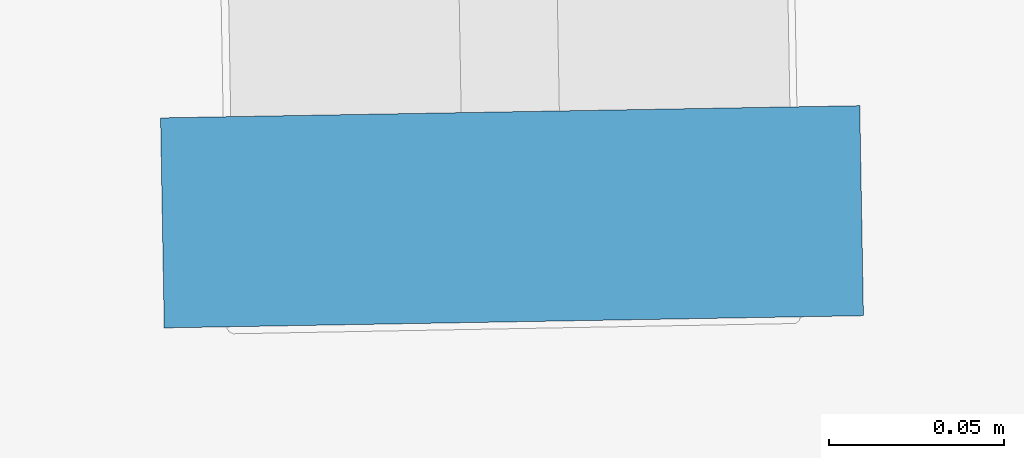
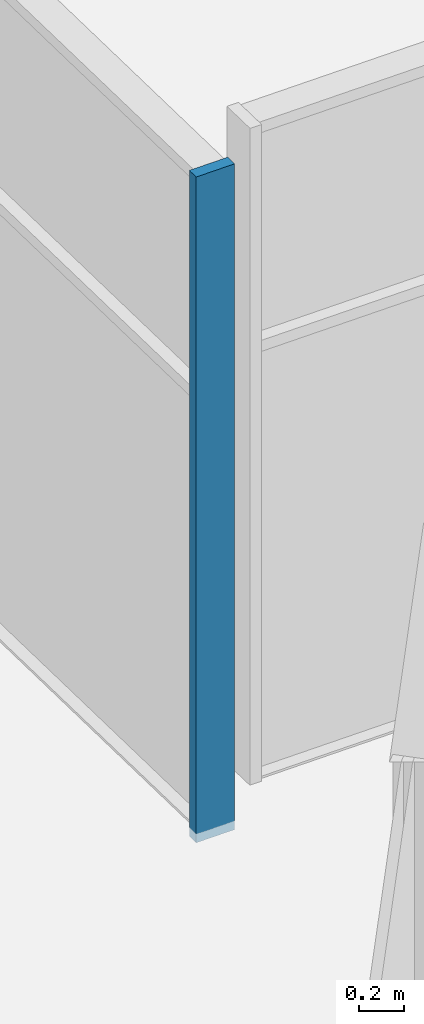
# One storey, part 2 of 13: 1 member, 1 element without a shape of its own.
"""IFC4 building model written with IfcOpenShell, lengths in metres."""

from ifc_helpers import new_model, si_unit, direction, frame, origin, origin_2d, place, context, subcontext, project, spatial, rectangle, extrude, material, material_profile, profile_set, type_object, element, aggregate, save


model = new_model("IFC4")

# Units and contexts
model_context = context("Model", 3, precision=1e-05, world=origin(), true_north=direction((0.0, 1.0)))
body_context = subcontext(model_context, "Body", "Model", "MODEL_VIEW")
ifc_project = project(units=[si_unit("LENGTHUNIT", "METRE"), si_unit("AREAUNIT", "SQUARE_METRE"), si_unit("VOLUMEUNIT", "CUBIC_METRE"), si_unit("PLANEANGLEUNIT", "RADIAN"), si_unit("MASSUNIT", "GRAM", prefix="KILO")], contexts=[model_context])

# Site, building, storey
site_placement = place(None, origin())
site = spatial("IfcSite", under=ifc_project, at=site_placement, CompositionType="ELEMENT")
building_placement = place(site_placement, origin())
building = spatial("IfcBuilding", under=site, at=building_placement, Name="Dilmun Exchange Tower", CompositionType="ELEMENT")
storey_placement = place(building_placement, frame((0.0, 0.0, 205.300048828125)))
storey = spatial("IfcBuildingStorey", under=building, at=storey_placement, Name="L48", CompositionType="ELEMENT", Elevation=205.300048828125)

# Curtain wall, member
ifc_material_1 = material(Name="Anodised aluminium and clear glass", Category="aluminium")
curtain_wall_type = type_object("IfcCurtainWallType", Name="Garden corner glazing", PredefinedType="NOTDEFINED", material=ifc_material_1)
curtain_wall_placement = place(storey_placement, origin())
curtain_wall = element("IfcCurtainWall", 1, at=curtain_wall_placement, inside=storey, type_object=curtain_wall_type, Name="Garden corner glazing run GC3.1", PredefinedType="NOTDEFINED")
ifc_material_2 = material(Name="Anodised aluminium", Category="aluminium")
ifc_material_profile = material_profile(ifc_material_2, rectangle(XDim=0.199951171875, YDim=0.06005859375, at=origin_2d()), Name="AL 60x200")
ifc_profile_set = profile_set([ifc_material_profile], Name="Anodised aluminium")
member_type = type_object("IfcMemberType", Name="Garden corner glazing mullion 60 x 200", PredefinedType="MULLION", material=ifc_profile_set)
member_placement = place(storey_placement, frame((-1.15576171875, 28.76953125, 0.0), z_axis=(0.0, 0.0, 1.0), x_axis=(-0.99984773388, -0.017450187816, 0.0)))
member = element("IfcMember", 2, at=member_placement, type_object=member_type, Name="GC3.1 mullion 1", PredefinedType="MULLION", context=body_context, shape_type="SweptSolid", body=[
    extrude(rectangle(XDim=0.199951171875, YDim=0.06005859375, at=origin_2d()), origin(), (0.0, 0.0, 1.0), 3.619873046875),
])
aggregate(curtain_wall, [member])

save(model, "model.ifc")
